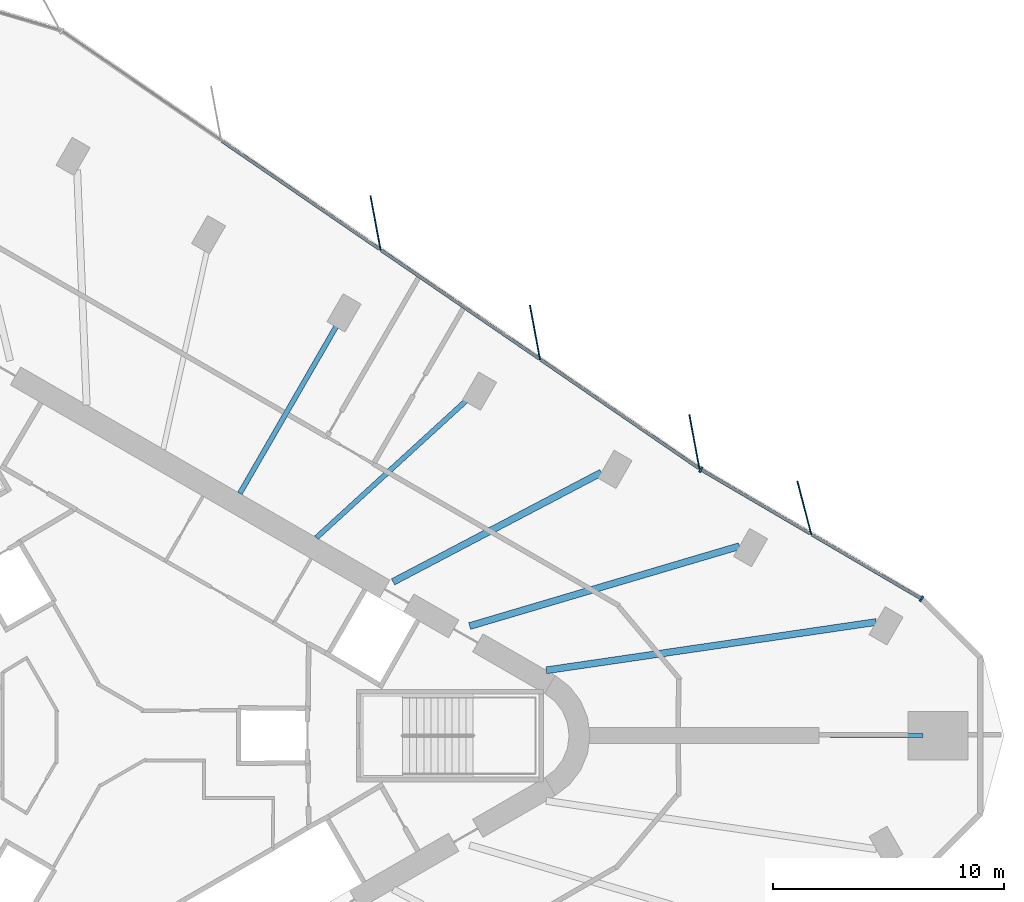
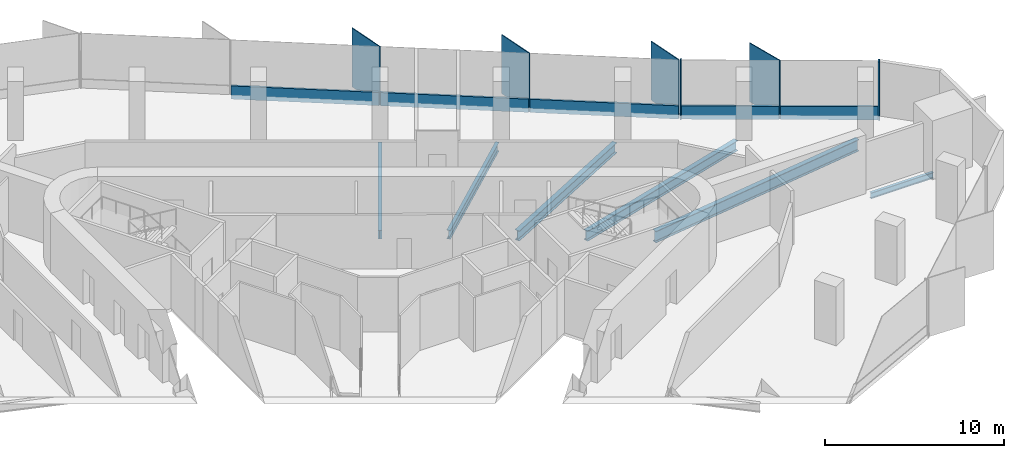
# One storey, part 5 of 13: 11 members, 6 beams, 2 elements without a shape of their own.
"""IFC4 building model written with IfcOpenShell, lengths in metres."""

from ifc_helpers import new_model, si_unit, direction, frame, origin, origin_2d, place, context, subcontext, project, spatial, rectangle, i_section, extrude, material, material_profile, profile_set, type_object, element, aggregate, save


model = new_model("IFC4")

# Units and contexts
model_context = context("Model", 3, precision=1e-05, world=origin(), true_north=direction((0.0, 1.0)))
body_context = subcontext(model_context, "Body", "Model", "MODEL_VIEW")
ifc_project = project(units=[si_unit("LENGTHUNIT", "METRE"), si_unit("AREAUNIT", "SQUARE_METRE"), si_unit("VOLUMEUNIT", "CUBIC_METRE"), si_unit("PLANEANGLEUNIT", "RADIAN"), si_unit("MASSUNIT", "GRAM", prefix="KILO")], contexts=[model_context])

# Site, building, storey
site_placement = place(None, origin())
site = spatial("IfcSite", under=ifc_project, at=site_placement, CompositionType="ELEMENT")
building_placement = place(site_placement, origin())
building = spatial("IfcBuilding", under=site, at=building_placement, Name="Tanit Gate Tower", CompositionType="ELEMENT")
storey_placement = place(building_placement, frame((0.0, 0.0, 265.199951171875)))
storey = spatial("IfcBuildingStorey", under=building, at=storey_placement, Name="L60", CompositionType="ELEMENT", Elevation=265.199951171875)

# Curtain wall, member
ifc_material_1 = material(Name="Aluminium bronze anodised and glass", Category="aluminium")
curtain_wall_type = type_object("IfcCurtainWallType", Name="Curtain wall typical mid", PredefinedType="NOTDEFINED", material=ifc_material_1)
curtain_wall_1_placement = place(storey_placement, origin())
curtain_wall_1 = element("IfcCurtainWall", 1, at=curtain_wall_1_placement, inside=storey, type_object=curtain_wall_type, Name="Curtain wall L60 NE1", PredefinedType="NOTDEFINED")
ifc_material_2 = material(Name="Aluminium bronze anodised", Category="aluminium")
ifc_material_profile_1 = material_profile(ifc_material_2, rectangle(XDim=2.39990234375, YDim=0.055908203125, at=origin_2d()), Name="56x2400 bronze fin mullion")
ifc_profile_set_1 = profile_set([ifc_material_profile_1], Name="Aluminium bronze anodised")
member_type_1 = type_object("IfcMemberType", Name="FIN MULLION 56x2400 bronze", PredefinedType="MULLION", material=ifc_profile_set_1)
member_1_placement = place(storey_placement, frame((30.47998046875, 9.8564453125, -0.300048828125), z_axis=(0.0, 0.0, 1.0), x_axis=(0.252657341171, -0.967555821621, 0.0)))
member_1 = element("IfcMember", 2, at=member_1_placement, type_object=member_type_1, Name="Fin mullion L60 NE1.2", PredefinedType="MULLION", context=body_context, shape_type="SweptSolid", body=[
    extrude(rectangle(XDim=2.39990234375, YDim=0.055908203125, at=origin_2d()), origin(), (0.0, 0.0, 1.0), 4.0),
])

# Curtain wall, members
curtain_wall_2_placement = place(storey_placement, origin())
curtain_wall_2 = element("IfcCurtainWall", 3, at=curtain_wall_2_placement, inside=storey, type_object=curtain_wall_type, Name="Curtain wall L60 NE2", PredefinedType="NOTDEFINED")
member_2_placement = place(storey_placement, frame((25.72216796875, 12.713623046875, -0.300048828125), z_axis=(0.0, 0.0, 1.0), x_axis=(0.182983013261, -0.983116074967, 0.0)))
member_2 = element("IfcMember", 4, at=member_2_placement, type_object=member_type_1, Name="Fin mullion L60 NE2.1", PredefinedType="MULLION", context=body_context, shape_type="SweptSolid", body=[
    extrude(rectangle(XDim=2.39990234375, YDim=0.055908203125, at=origin_2d()), origin(), (0.0, 0.0, 1.0), 4.0),
])
member_3_placement = place(storey_placement, frame((18.8232421875, 17.447509765625, -0.300048828125), z_axis=(0.0, 0.0, 1.0), x_axis=(0.182983013261, -0.983116074967, 0.0)))
member_3 = element("IfcMember", 5, at=member_3_placement, type_object=member_type_1, Name="Fin mullion L60 NE2.2", PredefinedType="MULLION", context=body_context, shape_type="SweptSolid", body=[
    extrude(rectangle(XDim=2.39990234375, YDim=0.055908203125, at=origin_2d()), origin(), (0.0, 0.0, 1.0), 4.0),
])
member_4_placement = place(storey_placement, frame((11.92431640625, 22.181396484375, -0.300048828125), z_axis=(0.0, 0.0, 1.0), x_axis=(0.182983013261, -0.983116074967, 0.0)))
member_4 = element("IfcMember", 6, at=member_4_placement, type_object=member_type_1, Name="Fin mullion L60 NE2.3", PredefinedType="MULLION", context=body_context, shape_type="SweptSolid", body=[
    extrude(rectangle(XDim=2.39990234375, YDim=0.055908203125, at=origin_2d()), origin(), (0.0, 0.0, 1.0), 4.0),
])

# Member
ifc_material_3 = material(Name="Aluminium bronze anodised", Category="aluminium")
ifc_material_profile_2 = material_profile(ifc_material_3, rectangle(XDim=0.260009765625, YDim=0.080078125, at=origin_2d()), Name="80x260 bronze mullion")
ifc_profile_set_2 = profile_set([ifc_material_profile_2], Name="Aluminium bronze anodised")
member_type_2 = type_object("IfcMemberType", Name="Mullion 80x260 typical mid", PredefinedType="MULLION", material=ifc_profile_set_2)
member_5_placement = place(storey_placement, frame((35.550537109375, 5.919677734375, -0.300048828125), z_axis=(0.0, 0.0, 1.0), x_axis=(-0.505509563386, -0.862821001903, 0.0)))
member_5 = element("IfcMember", 7, at=member_5_placement, type_object=member_type_2, Name="Mullion L60 NE1.1", PredefinedType="MULLION", context=body_context, shape_type="SweptSolid", body=[
    extrude(rectangle(XDim=0.260009765625, YDim=0.080078125, at=origin_2d()), origin(), (0.0, 0.0, 1.0), 4.0),
])

member_6_placement = place(storey_placement, frame((26.00537109375, 11.511962890625, -0.300048828125), z_axis=(0.0, 0.0, 1.0), x_axis=(-0.505509563386, -0.862821001903, 0.0)))
member_6 = element("IfcMember", 8, at=member_6_placement, type_object=member_type_2, Name="Mullion L60 NE1.3", PredefinedType="MULLION", context=body_context, shape_type="SweptSolid", body=[
    extrude(rectangle(XDim=0.260009765625, YDim=0.080078125, at=origin_2d()), origin(), (0.0, 0.0, 1.0), 4.0),
])

# Beams
ifc_material_4 = material(Name="Steel S355", Category="steel")
ifc_material_profile_3 = material_profile(ifc_material_4, i_section(OverallWidth=0.300048828125, OverallDepth=0.68994140625, WebThickness=0.014404296875, FlangeThickness=0.027099609375, FilletRadius=0.027099609375, at=origin_2d()), Name="HEA 700")
ifc_profile_set_3 = profile_set([ifc_material_profile_3], Name="Steel S355")
beam_type_1 = type_object("IfcBeamType", Name="RADIAL GIRDER HEA 700 S355", PredefinedType="BEAM", material=ifc_profile_set_3)
beam_1_placement = place(storey_placement, frame((27.66845703125, 8.197021484375, -0.64501953125), z_axis=(-0.958810250553, -0.284047361252, 0.0), x_axis=(0.284047361252, -0.958810250553, 0.0)))
element("IfcBeam", 9, at=beam_1_placement, inside=storey, type_object=beam_type_1, Name="RADIAL GIRDER", PredefinedType="BEAM", context=body_context, shape_type="SweptSolid", body=[
    extrude(i_section(OverallWidth=0.300048828125, OverallDepth=0.68994140625, WebThickness=0.014404296875, FlangeThickness=0.027099609375, FilletRadius=0.027099609375, at=origin_2d()), origin(), (0.0, 0.0, 1.0), 12.174072265625),
])
beam_2_placement = place(storey_placement, frame((21.697998046875, 11.383544921875, -0.64501953125), z_axis=(-0.885529600193, -0.464582960495, 0.0), x_axis=(0.464582960495, -0.885529600193, 0.0)))
element("IfcBeam", 10, at=beam_2_placement, inside=storey, type_object=beam_type_1, Name="RADIAL GIRDER", PredefinedType="BEAM", context=body_context, shape_type="SweptSolid", body=[
    extrude(i_section(OverallWidth=0.300048828125, OverallDepth=0.68994140625, WebThickness=0.014404296875, FlangeThickness=0.027099609375, FilletRadius=0.027099609375, at=origin_2d()), origin(), (0.0, 0.0, 1.0), 10.1826171875),
])
ifc_material_5 = material(Name="Steel S355", Category="steel")
ifc_material_profile_4 = material_profile(ifc_material_5, i_section(OverallWidth=0.300048828125, OverallDepth=0.7900390625, WebThickness=0.014892578125, FlangeThickness=0.028076171875, FilletRadius=0.030029296875, at=origin_2d()), Name="HEA 800")
ifc_profile_set_4 = profile_set([ifc_material_profile_4], Name="Steel S355")
beam_type_2 = type_object("IfcBeamType", Name="RADIAL GIRDER HEA 800 S355", PredefinedType="BEAM", material=ifc_profile_set_4)
beam_3_placement = place(storey_placement, frame((33.59130859375, 4.914306640625, -0.695068359375), z_axis=(-0.989468215533, -0.144750303802, 0.0), x_axis=(0.144750303802, -0.989468215533, 0.0)))
element("IfcBeam", 11, at=beam_3_placement, inside=storey, type_object=beam_type_2, Name="RADIAL GIRDER", PredefinedType="BEAM", context=body_context, shape_type="SweptSolid", body=[
    extrude(i_section(OverallWidth=0.300048828125, OverallDepth=0.7900390625, WebThickness=0.014892578125, FlangeThickness=0.028076171875, FilletRadius=0.030029296875, at=origin_2d()), origin(), (0.0, 0.0, 1.0), 14.4326171875),
])
ifc_material_6 = material(Name="Steel S355", Category="steel")
ifc_material_profile_5 = material_profile(ifc_material_6, i_section(OverallWidth=0.179931640625, OverallDepth=0.39990234375, WebThickness=0.008544921875, FlangeThickness=0.013427734375, FilletRadius=0.02099609375, at=origin_2d()), Name="IPE 400")
ifc_profile_set_5 = profile_set([ifc_material_profile_5], Name="Steel S355")
beam_type_3 = type_object("IfcBeamType", Name="RADIAL GIRDER IPE 400 S355", PredefinedType="BEAM", material=ifc_profile_set_5)
beam_4_placement = place(storey_placement, frame((35.6201171875, 0.0, -0.5), z_axis=(-1.0, 0.0, 0.0), x_axis=(0.0, -1.0, 0.0)))
element("IfcBeam", 12, at=beam_4_placement, inside=storey, type_object=beam_type_3, Name="RADIAL GIRDER", PredefinedType="BEAM", context=body_context, shape_type="SweptSolid", body=[
    extrude(i_section(OverallWidth=0.179931640625, OverallDepth=0.39990234375, WebThickness=0.008544921875, FlangeThickness=0.013427734375, FilletRadius=0.02099609375, at=origin_2d()), origin(), (0.0, 0.0, 1.0), 4.03759765625),
])
ifc_material_7 = material(Name="Steel S355", Category="steel")
ifc_material_profile_6 = material_profile(ifc_material_7, i_section(OverallWidth=0.219970703125, OverallDepth=0.60009765625, WebThickness=0.011962890625, FlangeThickness=0.01904296875, FilletRadius=0.02392578125, at=origin_2d()), Name="IPE 600")
ifc_profile_set_6 = profile_set([ifc_material_profile_6], Name="Steel S355")
beam_type_4 = type_object("IfcBeamType", Name="RADIAL GIRDER IPE 600 S355", PredefinedType="BEAM", material=ifc_profile_set_6)
beam_5_placement = place(storey_placement, frame((16.02587890625, 14.658203125, -0.599853515625), z_axis=(-0.737904866166, -0.674904740307, 0.0), x_axis=(0.674904740307, -0.737904866166, 0.0)))
element("IfcBeam", 13, at=beam_5_placement, inside=storey, type_object=beam_type_4, Name="RADIAL GIRDER", PredefinedType="BEAM", context=body_context, shape_type="SweptSolid", body=[
    extrude(i_section(OverallWidth=0.219970703125, OverallDepth=0.60009765625, WebThickness=0.011962890625, FlangeThickness=0.01904296875, FilletRadius=0.02392578125, at=origin_2d()), origin(), (0.0, 0.0, 1.0), 9.025390625),
])
beam_6_placement = place(storey_placement, frame((10.353759765625, 17.93310546875, -0.599853515625), z_axis=(-0.500008150211, -0.866020698207, 0.0), x_axis=(0.866020698207, -0.500008150211, 0.0)))
element("IfcBeam", 14, at=beam_6_placement, inside=storey, type_object=beam_type_4, Name="RADIAL GIRDER", PredefinedType="BEAM", context=body_context, shape_type="SweptSolid", body=[
    extrude(i_section(OverallWidth=0.219970703125, OverallDepth=0.60009765625, WebThickness=0.011962890625, FlangeThickness=0.01904296875, FilletRadius=0.02392578125, at=origin_2d()), origin(), (0.0, 0.0, 1.0), 8.605224609375),
])

# Member
ifc_material_8 = material(Name="Aluminium bronze anodised", Category="aluminium")
ifc_material_profile_7 = material_profile(ifc_material_8, rectangle(XDim=0.139892578125, YDim=0.89990234375, at=origin_2d()), Name="140x900 bronze transom")
ifc_profile_set_7 = profile_set([ifc_material_profile_7], Name="Aluminium bronze anodised")
member_type_3 = type_object("IfcMemberType", Name="Transom 140x900 typical mid", PredefinedType="USERDEFINED", material=ifc_profile_set_7)
member_7_placement = place(storey_placement, frame((35.515869140625, 5.93994140625, 0.150146484375), z_axis=(-0.86282057378, 0.505510294121, 0.0), x_axis=(-0.505510294121, -0.86282057378, 0.0)))
member_7 = element("IfcMember", 15, at=member_7_placement, type_object=member_type_3, Name="Transom L60 NE1.1", ObjectType="TRANSOM", PredefinedType="USERDEFINED", context=body_context, shape_type="SweptSolid", body=[
    extrude(rectangle(XDim=0.139892578125, YDim=0.89990234375, at=origin_2d()), origin(), (0.0, 0.0, 1.0), 5.451171875),
])

member_8_placement = place(storey_placement, frame((30.743408203125, 8.736083984375, 0.150146484375), z_axis=(-0.862832018003, 0.505490760261, 0.0), x_axis=(-0.505490760261, -0.862832018003, 0.0)))
member_8 = element("IfcMember", 16, at=member_8_placement, type_object=member_type_3, Name="Transom L60 NE1.2", ObjectType="TRANSOM", PredefinedType="USERDEFINED", context=body_context, shape_type="SweptSolid", body=[
    extrude(rectangle(XDim=0.139892578125, YDim=0.89990234375, at=origin_2d()), origin(), (0.0, 0.0, 1.0), 5.451416015625),
])

aggregate(curtain_wall_1, [member_5, member_1, member_6, member_7, member_8])

member_9_placement = place(storey_placement, frame((25.90478515625, 11.577392578125, 0.150146484375), z_axis=(-0.824560783398, 0.565773377318, 0.0), x_axis=(-0.565773377318, -0.824560783398, 0.0)))
member_9 = element("IfcMember", 17, at=member_9_placement, type_object=member_type_3, Name="Transom L60 NE2.1", ObjectType="TRANSOM", PredefinedType="USERDEFINED", context=body_context, shape_type="SweptSolid", body=[
    extrude(rectangle(XDim=0.139892578125, YDim=0.89990234375, at=origin_2d()), origin(), (0.0, 0.0, 1.0), 8.286865234375),
])

member_10_placement = place(storey_placement, frame((19.005859375, 16.311279296875, 0.150146484375), z_axis=(-0.824560783398, 0.565773377318, 0.0), x_axis=(-0.565773377318, -0.824560783398, 0.0)))
member_10 = element("IfcMember", 18, at=member_10_placement, type_object=member_type_3, Name="Transom L60 NE2.2", ObjectType="TRANSOM", PredefinedType="USERDEFINED", context=body_context, shape_type="SweptSolid", body=[
    extrude(rectangle(XDim=0.139892578125, YDim=0.89990234375, at=origin_2d()), origin(), (0.0, 0.0, 1.0), 8.286865234375),
])

member_11_placement = place(storey_placement, frame((12.10693359375, 21.044921875, 0.150146484375), z_axis=(-0.824547039294, 0.565793407519, 0.0), x_axis=(-0.565793407519, -0.824547039294, 0.0)))
member_11 = element("IfcMember", 19, at=member_11_placement, type_object=member_type_3, Name="Transom L60 NE2.3", ObjectType="TRANSOM", PredefinedType="USERDEFINED", context=body_context, shape_type="SweptSolid", body=[
    extrude(rectangle(XDim=0.139892578125, YDim=0.89990234375, at=origin_2d()), origin(), (0.0, 0.0, 1.0), 8.286865234375),
])

aggregate(curtain_wall_2, [member_2, member_3, member_4, member_9, member_10, member_11])

save(model, "model.ifc")
